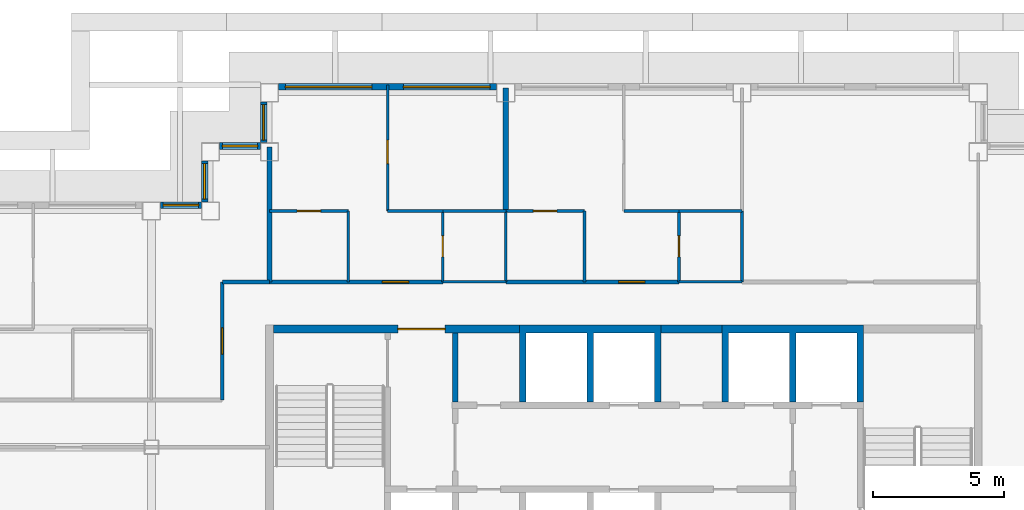
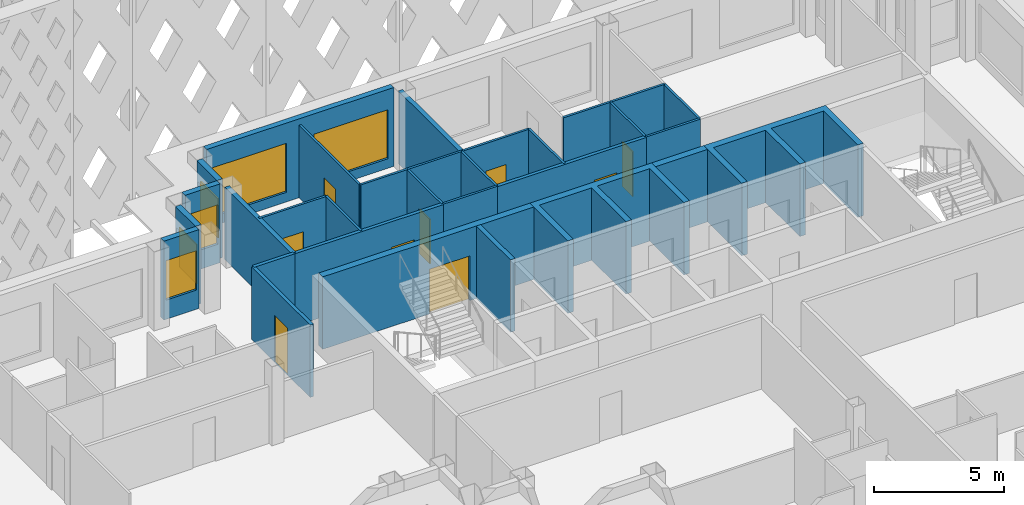
# One storey, part 6 of 16: 31 walls, 9 doors, 6 windows, 15 openings.
"""IFC4 building model written with IfcOpenShell, lengths in metres."""

from ifc_helpers import new_model, si_unit, direction, frame, frame_2d, origin, place, context, subcontext, project, spatial, polyline, rectangle, outline, extrude, material, layer, layer_set, type_object, element, fill, save


model = new_model("IFC4")

# Units and contexts
model_context = context("Model", 3, precision=1e-05, world=origin(), true_north=direction((0.0, 1.0)))
body_context = subcontext(model_context, "Body", "Model", "MODEL_VIEW")
ifc_project = project(units=[si_unit("LENGTHUNIT", "METRE"), si_unit("AREAUNIT", "SQUARE_METRE"), si_unit("VOLUMEUNIT", "CUBIC_METRE"), si_unit("PLANEANGLEUNIT", "RADIAN"), si_unit("MASSUNIT", "GRAM", prefix="KILO")], contexts=[model_context])

# Site, building, storey
site_placement = place(None, origin())
site = spatial("IfcSite", under=ifc_project, at=site_placement, CompositionType="ELEMENT")
building_placement = place(site_placement, origin())
building = spatial("IfcBuilding", under=site, at=building_placement, Name="Caravel Reach Hotel and Residences", CompositionType="ELEMENT")
storey_placement = place(building_placement, frame((0.0, 0.0, 207.199951171875)))
storey = spatial("IfcBuildingStorey", under=building, at=storey_placement, Name="L52", CompositionType="ELEMENT", Elevation=207.199951171875)

# Walls
ifc_material_1 = material(Name="Gypsum board on steel stud", Category="steel")
ifc_layer_1 = layer(ifc_material_1, 0.10009765625)
ifc_layer_set_1 = layer_set([ifc_layer_1], Name="Bathroom pod wall 100 mm")
wall_type_1 = type_object("IfcWallType", Name="Bathroom pod wall 100 mm", PredefinedType="PARTITIONING", material=ifc_layer_set_1)
for number, where, z_axis, x_axis, name in (
    (1, (24.60009765625, 33.300048828125, 0.0), (0.0, 0.0, 1.0), (1.0, 0.0, 0.0), "L52 wall w068"),
    (2, (33.60009765625, 33.300048828125, 0.0), (0.0, 0.0, 1.0), (1.0, 0.0, 0.0), "L52 wall w069"),
    (3, (24.60009765625, 36.0, 0.0), (0.0, 0.0, 1.0), (1.0, 0.0, 0.0), "L52 wall w070"),
    (4, (33.60009765625, 36.0, 0.0), (0.0, 0.0, 1.0), (1.0, 0.0, 0.0), "L52 wall w071"),
):
    element("IfcWall", number, at=place(storey_placement, frame(where, z_axis=z_axis, x_axis=x_axis)), inside=storey, type_object=wall_type_1, Name=name, PredefinedType="PARTITIONING", context=body_context, shape_type="SweptSolid", body=[
        extrude(rectangle(XDim=2.39990234375, YDim=0.10009765625, at=frame_2d((1.199951171875, 0.0))), origin(), (0.0, 0.0, 1.0), 3.400146484375),
    ])

# Wall, opening, door
wall_1_placement = place(storey_placement, frame((24.60009765625, 33.300048828125, 0.0), z_axis=(0.0, 0.0, 1.0), x_axis=(0.0, 1.0, 0.0)))
wall_1 = element("IfcWall", 5, at=wall_1_placement, inside=storey, type_object=wall_type_1, Name="L52 wall w074", PredefinedType="PARTITIONING", context=body_context, shape_type="SweptSolid", body=[
    extrude(rectangle(XDim=2.699951171875, YDim=0.10009765625, at=frame_2d((1.35009765625, 0.0))), origin(), (0.0, 0.0, 1.0), 3.400146484375),
])
opening_1_placement = place(wall_1_placement, frame((0.949951171875, 0.0, 0.0)))
opening_1 = element("IfcOpeningElement", 6, at=opening_1_placement, cuts=wall_1, Name="Opening D52-018", PredefinedType="OPENING", context=body_context, shape_type="SweptSolid", body=[
    extrude(rectangle(XDim=0.800048828125, YDim=2.10009765625, at=frame_2d((0.39990234375, 1.050048828125))), frame((0.0, 0.06005859375, 0.0), z_axis=(0.0, -1.0, 0.0), x_axis=(1.0, 0.0, 0.0)), (0.0, 0.0, 1.0), 0.1201171875),
])
ifc_material_2 = material(Name="Timber and steel door leaf", Category="steel")
door_type_1 = type_object("IfcDoorType", Name="Bathroom door 800 x 2100", OperationType="SINGLE_SWING_LEFT", PredefinedType="DOOR", material=ifc_material_2)
door_1_placement = place(opening_1_placement, origin())
door_1 = element("IfcDoor", 7, at=door_1_placement, inside=storey, type_object=door_type_1, Name="door D52-018", OperationType="SINGLE_SWING_RIGHT", OverallHeight=2.10009765625, OverallWidth=0.800048828125, PredefinedType="DOOR", context=body_context, shape_type="SweptSolid", body=[
    extrude(rectangle(XDim=0.800048828125, YDim=2.10009765625, at=frame_2d((0.39990234375, 1.050048828125))), frame((0.0, 0.02490234375, 0.0), z_axis=(0.0, -1.0, 0.0), x_axis=(1.0, 0.0, 0.0)), (0.0, 0.0, 1.0), 0.050048828125),
])
fill(opening_1, door_1)

# Wall
wall_2_placement = place(storey_placement, frame((27.0, 33.300048828125, 0.0), z_axis=(0.0, 0.0, 1.0), x_axis=(0.0, 1.0, 0.0)))
element("IfcWall", 8, at=wall_2_placement, inside=storey, type_object=wall_type_1, Name="L52 wall w075", PredefinedType="PARTITIONING", context=body_context, shape_type="SweptSolid", body=[
    extrude(rectangle(XDim=2.699951171875, YDim=0.10009765625, at=frame_2d((1.35009765625, 0.0))), origin(), (0.0, 0.0, 1.0), 3.400146484375),
])

# Wall, opening, door
wall_3_placement = place(storey_placement, frame((33.60009765625, 33.300048828125, 0.0), z_axis=(0.0, 0.0, 1.0), x_axis=(0.0, 1.0, 0.0)))
wall_3 = element("IfcWall", 9, at=wall_3_placement, inside=storey, type_object=wall_type_1, Name="L52 wall w079", PredefinedType="PARTITIONING", context=body_context, shape_type="SweptSolid", body=[
    extrude(rectangle(XDim=2.699951171875, YDim=0.10009765625, at=frame_2d((1.35009765625, 0.0))), origin(), (0.0, 0.0, 1.0), 3.400146484375),
])
opening_2_placement = place(wall_3_placement, frame((0.949951171875, 0.0, 0.0)))
opening_2 = element("IfcOpeningElement", 10, at=opening_2_placement, cuts=wall_3, Name="Opening D52-022", PredefinedType="OPENING", context=body_context, shape_type="SweptSolid", body=[
    extrude(rectangle(XDim=0.800048828125, YDim=2.10009765625, at=frame_2d((0.39990234375, 1.050048828125))), frame((0.0, 0.06005859375, 0.0), z_axis=(0.0, -1.0, 0.0), x_axis=(1.0, 0.0, 0.0)), (0.0, 0.0, 1.0), 0.1201171875),
])
door_2_placement = place(opening_2_placement, origin())
door_2 = element("IfcDoor", 11, at=door_2_placement, inside=storey, type_object=door_type_1, Name="door D52-022", OperationType="SINGLE_SWING_LEFT", OverallHeight=2.10009765625, OverallWidth=0.800048828125, PredefinedType="DOOR", context=body_context, shape_type="SweptSolid", body=[
    extrude(rectangle(XDim=0.800048828125, YDim=2.10009765625, at=frame_2d((0.39990234375, 1.050048828125))), frame((0.0, 0.02490234375, 0.0), z_axis=(0.0, -1.0, 0.0), x_axis=(1.0, 0.0, 0.0)), (0.0, 0.0, 1.0), 0.050048828125),
])
fill(opening_2, door_2)

# Walls
wall_4_placement = place(storey_placement, frame((36.0, 33.300048828125, 0.0), z_axis=(0.0, 0.0, 1.0), x_axis=(0.0, 1.0, 0.0)))
element("IfcWall", 12, at=wall_4_placement, inside=storey, type_object=wall_type_1, Name="L52 wall w080", PredefinedType="PARTITIONING", context=body_context, shape_type="SweptSolid", body=[
    extrude(rectangle(XDim=2.699951171875, YDim=0.10009765625, at=frame_2d((1.35009765625, 0.0))), origin(), (0.0, 0.0, 1.0), 3.400146484375),
])
ifc_material_3 = material(Name="Autoclaved aerated block wall")
ifc_layer_2 = layer(ifc_material_3, 0.199951171875)
ifc_layer_set_2 = layer_set([ifc_layer_2], Name="Compartment wall 200 mm EI 120")
wall_type_2 = type_object("IfcWallType", Name="Compartment wall 200 mm EI 120", PredefinedType="PARTITIONING", material=ifc_layer_set_2)
wall_5_placement = place(storey_placement, frame((25.071533203125, 28.72509765625, 0.0), z_axis=(0.0, 0.0, 1.0), x_axis=(0.0, 1.0, 0.0)))
element("IfcWall", 13, at=wall_5_placement, inside=storey, type_object=wall_type_2, Name="L52 store partition", PredefinedType="PARTITIONING", context=body_context, shape_type="SweptSolid", body=[
    extrude(rectangle(XDim=2.625, YDim=0.199951171875, at=frame_2d((1.3125, 0.0))), origin(), (0.0, 0.0, 1.0), 3.400146484375),
])

# Wall, opening, door
ifc_material_4 = material(Name="Concrete C60", Category="concrete")
ifc_layer_3 = layer(ifc_material_4, 0.300048828125)
ifc_layer_set_3 = layer_set([ifc_layer_3], Name="Core wall 300 mm EI 120")
wall_type_3 = type_object("IfcWallType", Name="Core wall 300 mm EI 120", PredefinedType="SHEAR", material=ifc_layer_set_3)
wall_6_placement = place(storey_placement, frame((18.14990234375, 31.5, 0.0), z_axis=(0.0, 0.0, 1.0), x_axis=(1.0, 0.0, 0.0)))
wall_6 = element("IfcWall", 14, at=wall_6_placement, inside=storey, type_object=wall_type_3, Name="L52 core wall N1", PredefinedType="SHEAR", context=body_context, shape_type="SweptSolid", body=[
    extrude(rectangle(XDim=9.367919921875, YDim=0.300048828125, at=frame_2d((4.68408203125, 0.0))), origin(), (0.0, 0.0, 1.0), 3.400146484375),
])
opening_3_placement = place(wall_6_placement, frame((4.735595703125, 0.0, 0.0)))
opening_3 = element("IfcOpeningElement", 15, at=opening_3_placement, cuts=wall_6, Name="Opening D52-014", PredefinedType="OPENING", context=body_context, shape_type="SweptSolid", body=[
    extrude(rectangle(XDim=1.800048828125, YDim=2.10009765625, at=frame_2d((0.89990234375, 1.050048828125))), frame((0.0, 0.159912109375, 0.0), z_axis=(0.0, -1.0, 0.0), x_axis=(1.0, 0.0, 0.0)), (0.0, 0.0, 1.0), 0.320068359375),
])
ifc_material_5 = material(Name="Steel fire door leaf", Category="steel")
door_type_2 = type_object("IfcDoorType", Name="Fire lobby door pair 1800 x 2100 EI 90", OperationType="DOUBLE_DOOR_SINGLE_SWING", PredefinedType="DOOR", material=ifc_material_5)
door_3_placement = place(opening_3_placement, origin())
door_3 = element("IfcDoor", 16, at=door_3_placement, inside=storey, type_object=door_type_2, Name="lobby N door pair to corridor", OperationType="DOUBLE_DOOR_SINGLE_SWING", OverallHeight=2.10009765625, OverallWidth=1.800048828125, PredefinedType="DOOR", context=body_context, shape_type="SweptSolid", body=[
    extrude(rectangle(XDim=1.800048828125, YDim=2.10009765625, at=frame_2d((0.89990234375, 1.050048828125))), frame((0.0, 0.02490234375, 0.0), z_axis=(0.0, -1.0, 0.0), x_axis=(1.0, 0.0, 0.0)), (0.0, 0.0, 1.0), 0.050048828125),
])
fill(opening_3, door_3)

# Wall
wall_7_placement = place(storey_placement, frame((32.91064453125, 31.5, 0.0), z_axis=(0.0, 0.0, 1.0), x_axis=(1.0, 0.0, 0.0)))
element("IfcWall", 17, at=wall_7_placement, inside=storey, type_object=wall_type_3, Name="L52 core wall N2", PredefinedType="SHEAR", context=body_context, shape_type="SweptSolid", body=[
    extrude(rectangle(XDim=2.321533203125, YDim=0.300048828125, at=frame_2d((1.16064453125, 0.0))), origin(), (0.0, 0.0, 1.0), 3.400146484375),
])

# Wall, opening, door
ifc_material_6 = material(Name="Gypsum board on steel stud, fire-rated", Category="steel")
ifc_layer_4 = layer(ifc_material_6, 0.14990234375)
ifc_layer_set_4 = layer_set([ifc_layer_4], Name="Corridor wall 150 mm EI 60")
wall_type_4 = type_object("IfcWallType", Name="Corridor wall 150 mm EI 60", PredefinedType="PARTITIONING", material=ifc_layer_set_4)
wall_8_placement = place(storey_placement, frame((18.0, 33.300048828125, 0.0), z_axis=(0.0, 0.0, 1.0), x_axis=(1.0, 0.0, 0.0)))
wall_8 = element("IfcWall", 18, at=wall_8_placement, inside=storey, type_object=wall_type_4, Name="L52 wall w011", PredefinedType="PARTITIONING", context=body_context, shape_type="SweptSolid", body=[
    extrude(rectangle(XDim=6.60009765625, YDim=0.14990234375, at=frame_2d((3.300048828125, 0.0))), origin(), (0.0, 0.0, 1.0), 3.400146484375),
])
opening_4_placement = place(wall_8_placement, frame((4.300048828125, 0.0, 0.0)))
opening_4 = element("IfcOpeningElement", 19, at=opening_4_placement, cuts=wall_8, Name="Opening D52-016", PredefinedType="OPENING", context=body_context, shape_type="SweptSolid", body=[
    extrude(rectangle(XDim=1.0, YDim=2.199951171875, at=frame_2d((0.5, 1.10009765625))), frame((0.0, 0.0849609375, 0.0), z_axis=(0.0, -1.0, 0.0), x_axis=(1.0, 0.0, 0.0)), (0.0, 0.0, 1.0), 0.169921875),
])
ifc_material_7 = material(Name="Steel fire door leaf", Category="steel")
door_type_3 = type_object("IfcDoorType", Name="Flat entrance door 1000 x 2200 EI 60", OperationType="SINGLE_SWING_LEFT", PredefinedType="DOOR", material=ifc_material_7)
door_4_placement = place(opening_4_placement, origin())
door_4 = element("IfcDoor", 20, at=door_4_placement, inside=storey, type_object=door_type_3, Name="door D52-016", OperationType="SINGLE_SWING_RIGHT", OverallHeight=2.199951171875, OverallWidth=1.0, PredefinedType="DOOR", context=body_context, shape_type="SweptSolid", body=[
    extrude(rectangle(XDim=1.0, YDim=2.199951171875, at=frame_2d((0.5, 1.10009765625))), frame((0.0, 0.02490234375, 0.0), z_axis=(0.0, -1.0, 0.0), x_axis=(1.0, 0.0, 0.0)), (0.0, 0.0, 1.0), 0.050048828125),
])
fill(opening_4, door_4)

wall_9_placement = place(storey_placement, frame((27.0, 33.300048828125, 0.0), z_axis=(0.0, 0.0, 1.0), x_axis=(1.0, 0.0, 0.0)))
wall_9 = element("IfcWall", 21, at=wall_9_placement, inside=storey, type_object=wall_type_4, Name="L52 wall w013", PredefinedType="PARTITIONING", context=body_context, shape_type="SweptSolid", body=[
    extrude(rectangle(XDim=6.60009765625, YDim=0.14990234375, at=frame_2d((3.300048828125, 0.0))), origin(), (0.0, 0.0, 1.0), 3.400146484375),
])
opening_5_placement = place(wall_9_placement, frame((4.300048828125, 0.0, 0.0)))
opening_5 = element("IfcOpeningElement", 22, at=opening_5_placement, cuts=wall_9, Name="Opening D52-020", PredefinedType="OPENING", context=body_context, shape_type="SweptSolid", body=[
    extrude(rectangle(XDim=1.0, YDim=2.199951171875, at=frame_2d((0.5, 1.10009765625))), frame((0.0, 0.0849609375, 0.0), z_axis=(0.0, -1.0, 0.0), x_axis=(1.0, 0.0, 0.0)), (0.0, 0.0, 1.0), 0.169921875),
])
door_5_placement = place(opening_5_placement, origin())
door_5 = element("IfcDoor", 23, at=door_5_placement, inside=storey, type_object=door_type_3, Name="door D52-020", OperationType="SINGLE_SWING_RIGHT", OverallHeight=2.199951171875, OverallWidth=1.0, PredefinedType="DOOR", context=body_context, shape_type="SweptSolid", body=[
    extrude(rectangle(XDim=1.0, YDim=2.199951171875, at=frame_2d((0.5, 1.10009765625))), frame((0.0, 0.02490234375, 0.0), z_axis=(0.0, -1.0, 0.0), x_axis=(1.0, 0.0, 0.0)), (0.0, 0.0, 1.0), 0.050048828125),
])
fill(opening_5, door_5)

# Wall
wall_10_placement = place(storey_placement, frame((16.199951171875, 33.300048828125, 0.0), z_axis=(0.0, 0.0, 1.0), x_axis=(1.0, 0.0, 0.0)))
element("IfcWall", 24, at=wall_10_placement, inside=storey, type_object=wall_type_4, Name="L52 wall w015", PredefinedType="PARTITIONING", context=body_context, shape_type="SweptSolid", body=[
    extrude(rectangle(XDim=1.799072265625, YDim=0.14990234375, at=frame_2d((0.8994140625, 0.0))), origin(), (0.0, 0.0, 1.0), 3.400146484375),
])

# Wall, opening, door
wall_11_placement = place(storey_placement, frame((16.199951171875, 28.801025390625, 0.0), z_axis=(0.0, 0.0, 1.0), x_axis=(0.0, 1.0, 0.0)))
wall_11 = element("IfcWall", 25, at=wall_11_placement, inside=storey, type_object=wall_type_4, Name="L52 wall w017", PredefinedType="PARTITIONING", context=body_context, shape_type="SweptSolid", body=[
    extrude(rectangle(XDim=4.4990234375, YDim=0.14990234375, at=frame_2d((2.24951171875, 0.0))), origin(), (0.0, 0.0, 1.0), 3.400146484375),
])
opening_6_placement = place(wall_11_placement, frame((1.74951171875, 0.0, 0.0)))
opening_6 = element("IfcOpeningElement", 26, at=opening_6_placement, cuts=wall_11, Name="Opening D52-025", PredefinedType="OPENING", context=body_context, shape_type="SweptSolid", body=[
    extrude(rectangle(XDim=1.0, YDim=2.199951171875, at=frame_2d((0.5, 1.10009765625))), frame((0.0, 0.0849609375, 0.0), z_axis=(0.0, -1.0, 0.0), x_axis=(1.0, 0.0, 0.0)), (0.0, 0.0, 1.0), 0.169921875),
])
door_6_placement = place(opening_6_placement, origin())
door_6 = element("IfcDoor", 27, at=door_6_placement, inside=storey, type_object=door_type_3, Name="door D52-025", OperationType="SINGLE_SWING_LEFT", OverallHeight=2.199951171875, OverallWidth=1.0, PredefinedType="DOOR", context=body_context, shape_type="SweptSolid", body=[
    extrude(rectangle(XDim=1.0, YDim=2.199951171875, at=frame_2d((0.5, 1.10009765625))), frame((0.0, 0.02490234375, 0.0), z_axis=(0.0, -1.0, 0.0), x_axis=(1.0, 0.0, 0.0)), (0.0, 0.0, 1.0), 0.050048828125),
])
fill(opening_6, door_6)

# Wall, openings, windows
ifc_material_8 = material(Name="Insulated rainscreen wall, aluminium cladding", Category="aluminium")
ifc_layer_5 = layer(ifc_material_8, 0.25)
ifc_layer_set_5 = layer_set([ifc_layer_5], Name="EW1 Tower rainscreen wall")
wall_type_5 = type_object("IfcWallType", Name="EW1 Tower rainscreen wall", PredefinedType="SOLIDWALL", material=ifc_layer_set_5)
wall_12_placement = place(storey_placement, frame((26.64990234375, 40.72509765625, 0.0), z_axis=(0.0, 0.0, 1.0), x_axis=(-1.0, 0.0, 0.0)))
wall_12 = element("IfcWall", 28, at=wall_12_placement, inside=storey, type_object=wall_type_5, Name="External wall L52 N11.3", PredefinedType="SOLIDWALL", context=body_context, shape_type="SweptSolid", body=[
    extrude(rectangle(XDim=8.2998046875, YDim=0.25, at=frame_2d((4.14990234375, 0.0))), origin(), (0.0, 0.0, 1.0), 3.699951171875),
])
opening_7_placement = place(wall_12_placement, frame((0.25, 0.0, 0.449951171875)))
opening_7 = element("IfcOpeningElement", 29, at=opening_7_placement, cuts=wall_12, Name="Opening WN15", PredefinedType="OPENING", context=body_context, shape_type="SweptSolid", body=[
    extrude(rectangle(XDim=3.300048828125, YDim=2.300048828125, at=frame_2d((1.64990234375, 1.14990234375))), frame((0.0, 0.135009765625, 0.0), z_axis=(0.0, -1.0, 0.0), x_axis=(1.0, 0.0, 0.0)), (0.0, 0.0, 1.0), 0.27001953125),
])
opening_8_placement = place(wall_12_placement, frame((4.75, 0.0, 0.449951171875)))
opening_8 = element("IfcOpeningElement", 30, at=opening_8_placement, cuts=wall_12, Name="Opening WN15", PredefinedType="OPENING", context=body_context, shape_type="SweptSolid", body=[
    extrude(rectangle(XDim=3.300048828125, YDim=2.300048828125, at=frame_2d((1.64990234375, 1.14990234375))), frame((0.0, 0.135009765625, 0.0), z_axis=(0.0, -1.0, 0.0), x_axis=(1.0, 0.0, 0.0)), (0.0, 0.0, 1.0), 0.27001953125),
])
ifc_material_9 = material(Name="Dark low-e glazing in black aluminium frame", Category="aluminium")
window_type_1 = type_object("IfcWindowType", Name="Residence living window 3300 x 2300", PartitioningType="SINGLE_PANEL", PredefinedType="WINDOW", material=ifc_material_9)
window_1_placement = place(opening_7_placement, origin())
window_1 = element("IfcWindow", 31, at=window_1_placement, inside=storey, type_object=window_type_1, Name="Window L52 N11.3.1", OverallHeight=2.300048828125, OverallWidth=3.300048828125, PartitioningType="SINGLE_PANEL", PredefinedType="WINDOW", context=body_context, shape_type="SweptSolid", body=[
    extrude(rectangle(XDim=3.300048828125, YDim=2.300048828125, at=frame_2d((1.64990234375, 1.14990234375))), frame((0.0, 0.030029296875, 0.0), z_axis=(0.0, -1.0, 0.0), x_axis=(1.0, 0.0, 0.0)), (0.0, 0.0, 1.0), 0.06005859375),
])
fill(opening_7, window_1)
window_2_placement = place(opening_8_placement, origin())
window_2 = element("IfcWindow", 32, at=window_2_placement, inside=storey, type_object=window_type_1, Name="Window L52 N11.3.2", OverallHeight=2.300048828125, OverallWidth=3.300048828125, PartitioningType="SINGLE_PANEL", PredefinedType="WINDOW", context=body_context, shape_type="SweptSolid", body=[
    extrude(rectangle(XDim=3.300048828125, YDim=2.300048828125, at=frame_2d((1.64990234375, 1.14990234375))), frame((0.0, 0.030029296875, 0.0), z_axis=(0.0, -1.0, 0.0), x_axis=(1.0, 0.0, 0.0)), (0.0, 0.0, 1.0), 0.06005859375),
])
fill(opening_8, window_2)

# Wall, opening, window
wall_13_placement = place(storey_placement, frame((17.77490234375, 40.14990234375, 0.0), z_axis=(0.0, 0.0, 1.0), x_axis=(0.0, -1.0, 0.0)))
wall_13 = element("IfcWall", 33, at=wall_13_placement, inside=storey, type_object=wall_type_5, Name="External wall L52 W12.1", PredefinedType="SOLIDWALL", context=body_context, shape_type="SweptSolid", body=[
    extrude(rectangle(XDim=1.5498046875, YDim=0.25, at=frame_2d((0.77490234375, 0.0))), origin(), (0.0, 0.0, 1.0), 3.699951171875),
])
opening_9_placement = place(wall_13_placement, frame((0.10009765625, 0.0, 0.89990234375)))
opening_9 = element("IfcOpeningElement", 34, at=opening_9_placement, cuts=wall_13, Name="Opening WN21", PredefinedType="OPENING", context=body_context, shape_type="SweptSolid", body=[
    extrude(rectangle(XDim=1.35009765625, YDim=1.85009765625, at=frame_2d((0.675048828125, 0.925048828125))), frame((0.0, 0.135009765625, 0.0), z_axis=(0.0, -1.0, 0.0), x_axis=(1.0, 0.0, 0.0)), (0.0, 0.0, 1.0), 0.27001953125),
])
ifc_material_10 = material(Name="Dark low-e glazing in black aluminium frame", Category="aluminium")
window_type_2 = type_object("IfcWindowType", Name="Residence bedroom window 1350 x 1850", PartitioningType="SINGLE_PANEL", PredefinedType="WINDOW", material=ifc_material_10)
window_3_placement = place(opening_9_placement, origin())
window_3 = element("IfcWindow", 35, at=window_3_placement, inside=storey, type_object=window_type_2, Name="Window L52 W12.1.1", OverallHeight=1.85009765625, OverallWidth=1.35009765625, PartitioningType="SINGLE_PANEL", PredefinedType="WINDOW", context=body_context, shape_type="SweptSolid", body=[
    extrude(rectangle(XDim=1.35009765625, YDim=1.85009765625, at=frame_2d((0.675048828125, 0.925048828125))), frame((0.0, 0.030029296875, 0.0), z_axis=(0.0, -1.0, 0.0), x_axis=(1.0, 0.0, 0.0)), (0.0, 0.0, 1.0), 0.06005859375),
])
fill(opening_9, window_3)

wall_14_placement = place(storey_placement, frame((17.64990234375, 38.47509765625, 0.0), z_axis=(0.0, 0.0, 1.0), x_axis=(-1.0, 0.0, 0.0)))
wall_14 = element("IfcWall", 36, at=wall_14_placement, inside=storey, type_object=wall_type_5, Name="External wall L52 N13.1", PredefinedType="SOLIDWALL", context=body_context, shape_type="SweptSolid", body=[
    extrude(rectangle(XDim=1.5498046875, YDim=0.25, at=frame_2d((0.77490234375, 0.0))), origin(), (0.0, 0.0, 1.0), 3.699951171875),
])
opening_10_placement = place(wall_14_placement, frame((0.10009765625, 0.0, 0.89990234375)))
opening_10 = element("IfcOpeningElement", 37, at=opening_10_placement, cuts=wall_14, Name="Opening WN21", PredefinedType="OPENING", context=body_context, shape_type="SweptSolid", body=[
    extrude(rectangle(XDim=1.35009765625, YDim=1.85009765625, at=frame_2d((0.675048828125, 0.925048828125))), frame((0.0, 0.135009765625, 0.0), z_axis=(0.0, -1.0, 0.0), x_axis=(1.0, 0.0, 0.0)), (0.0, 0.0, 1.0), 0.27001953125),
])
window_4_placement = place(opening_10_placement, origin())
window_4 = element("IfcWindow", 38, at=window_4_placement, inside=storey, type_object=window_type_2, Name="Window L52 N13.1.1", OverallHeight=1.85009765625, OverallWidth=1.35009765625, PartitioningType="SINGLE_PANEL", PredefinedType="WINDOW", context=body_context, shape_type="SweptSolid", body=[
    extrude(rectangle(XDim=1.35009765625, YDim=1.85009765625, at=frame_2d((0.675048828125, 0.925048828125))), frame((0.0, 0.030029296875, 0.0), z_axis=(0.0, -1.0, 0.0), x_axis=(1.0, 0.0, 0.0)), (0.0, 0.0, 1.0), 0.06005859375),
])
fill(opening_10, window_4)

wall_15_placement = place(storey_placement, frame((15.52490234375, 37.89990234375, 0.0), z_axis=(0.0, 0.0, 1.0), x_axis=(0.0, -1.0, 0.0)))
wall_15 = element("IfcWall", 39, at=wall_15_placement, inside=storey, type_object=wall_type_5, Name="External wall L52 W14.1", PredefinedType="SOLIDWALL", context=body_context, shape_type="SweptSolid", body=[
    extrude(rectangle(XDim=1.5498046875, YDim=0.25, at=frame_2d((0.77490234375, 0.0))), origin(), (0.0, 0.0, 1.0), 3.699951171875),
])
opening_11_placement = place(wall_15_placement, frame((0.10009765625, 0.0, 0.89990234375)))
opening_11 = element("IfcOpeningElement", 40, at=opening_11_placement, cuts=wall_15, Name="Opening WN21", PredefinedType="OPENING", context=body_context, shape_type="SweptSolid", body=[
    extrude(rectangle(XDim=1.35009765625, YDim=1.85009765625, at=frame_2d((0.675048828125, 0.925048828125))), frame((0.0, 0.135009765625, 0.0), z_axis=(0.0, -1.0, 0.0), x_axis=(1.0, 0.0, 0.0)), (0.0, 0.0, 1.0), 0.27001953125),
])
window_5_placement = place(opening_11_placement, origin())
window_5 = element("IfcWindow", 41, at=window_5_placement, inside=storey, type_object=window_type_2, Name="Window L52 W14.1.1", OverallHeight=1.85009765625, OverallWidth=1.35009765625, PartitioningType="SINGLE_PANEL", PredefinedType="WINDOW", context=body_context, shape_type="SweptSolid", body=[
    extrude(rectangle(XDim=1.35009765625, YDim=1.85009765625, at=frame_2d((0.675048828125, 0.925048828125))), frame((0.0, 0.030029296875, 0.0), z_axis=(0.0, -1.0, 0.0), x_axis=(1.0, 0.0, 0.0)), (0.0, 0.0, 1.0), 0.06005859375),
])
fill(opening_11, window_5)

wall_16_placement = place(storey_placement, frame((15.39990234375, 36.22509765625, 0.0), z_axis=(0.0, 0.0, 1.0), x_axis=(-1.0, 0.0, 0.0)))
wall_16 = element("IfcWall", 42, at=wall_16_placement, inside=storey, type_object=wall_type_5, Name="External wall L52 N15.1", PredefinedType="SOLIDWALL", context=body_context, shape_type="SweptSolid", body=[
    extrude(rectangle(XDim=1.5498046875, YDim=0.25, at=frame_2d((0.77490234375, 0.0))), origin(), (0.0, 0.0, 1.0), 3.699951171875),
])
opening_12_placement = place(wall_16_placement, frame((0.10009765625, 0.0, 0.89990234375)))
opening_12 = element("IfcOpeningElement", 43, at=opening_12_placement, cuts=wall_16, Name="Opening WN21", PredefinedType="OPENING", context=body_context, shape_type="SweptSolid", body=[
    extrude(rectangle(XDim=1.35009765625, YDim=1.85009765625, at=frame_2d((0.675048828125, 0.925048828125))), frame((0.0, 0.135009765625, 0.0), z_axis=(0.0, -1.0, 0.0), x_axis=(1.0, 0.0, 0.0)), (0.0, 0.0, 1.0), 0.27001953125),
])
window_6_placement = place(opening_12_placement, origin())
window_6 = element("IfcWindow", 44, at=window_6_placement, inside=storey, type_object=window_type_2, Name="Window L52 N15.1.1", OverallHeight=1.85009765625, OverallWidth=1.35009765625, PartitioningType="SINGLE_PANEL", PredefinedType="WINDOW", context=body_context, shape_type="SweptSolid", body=[
    extrude(rectangle(XDim=1.35009765625, YDim=1.85009765625, at=frame_2d((0.675048828125, 0.925048828125))), frame((0.0, 0.030029296875, 0.0), z_axis=(0.0, -1.0, 0.0), x_axis=(1.0, 0.0, 0.0)), (0.0, 0.0, 1.0), 0.06005859375),
])
fill(opening_12, window_6)

# Wall
ifc_material_11 = material(Name="Gypsum board on steel stud", Category="steel")
ifc_layer_6 = layer(ifc_material_11, 0.10009765625)
ifc_layer_set_6 = layer_set([ifc_layer_6], Name="Partition 100 mm")
wall_type_6 = type_object("IfcWallType", Name="Partition 100 mm", PredefinedType="PARTITIONING", material=ifc_layer_set_6)
wall_17_placement = place(storey_placement, frame((22.5, 36.0, 0.0), z_axis=(0.0, 0.0, 1.0), x_axis=(1.0, 0.0, 0.0)))
element("IfcWall", 45, at=wall_17_placement, inside=storey, type_object=wall_type_6, Name="L52 wall w034", PredefinedType="PARTITIONING", context=body_context, shape_type="SweptSolid", body=[
    extrude(rectangle(XDim=2.10009765625, YDim=0.10009765625, at=frame_2d((1.050048828125, 0.0))), origin(), (0.0, 0.0, 1.0), 3.400146484375),
])

# Wall, opening, door
wall_18_placement = place(storey_placement, frame((18.0, 36.0, 0.0), z_axis=(0.0, 0.0, 1.0), x_axis=(1.0, 0.0, 0.0)))
wall_18 = element("IfcWall", 46, at=wall_18_placement, inside=storey, type_object=wall_type_6, Name="L52 wall w035", PredefinedType="PARTITIONING", context=body_context, shape_type="SweptSolid", body=[
    extrude(rectangle(XDim=3.0, YDim=0.10009765625, at=frame_2d((1.5, 0.0))), origin(), (0.0, 0.0, 1.0), 3.400146484375),
])
opening_13_placement = place(wall_18_placement, frame((1.050048828125, 0.0, 0.0)))
opening_13 = element("IfcOpeningElement", 47, at=opening_13_placement, cuts=wall_18, Name="Opening D52-017", PredefinedType="OPENING", context=body_context, shape_type="SweptSolid", body=[
    extrude(rectangle(XDim=0.89990234375, YDim=2.10009765625, at=frame_2d((0.449951171875, 1.050048828125))), frame((0.0, 0.06005859375, 0.0), z_axis=(0.0, -1.0, 0.0), x_axis=(1.0, 0.0, 0.0)), (0.0, 0.0, 1.0), 0.1201171875),
])
ifc_material_12 = material(Name="Timber and steel door leaf", Category="steel")
door_type_4 = type_object("IfcDoorType", Name="Door 900 x 2100 timber", OperationType="SINGLE_SWING_LEFT", PredefinedType="DOOR", material=ifc_material_12)
door_7_placement = place(opening_13_placement, origin())
door_7 = element("IfcDoor", 48, at=door_7_placement, inside=storey, type_object=door_type_4, Name="door D52-017", OperationType="SINGLE_SWING_RIGHT", OverallHeight=2.10009765625, OverallWidth=0.89990234375, PredefinedType="DOOR", context=body_context, shape_type="SweptSolid", body=[
    extrude(rectangle(XDim=0.89990234375, YDim=2.10009765625, at=frame_2d((0.449951171875, 1.050048828125))), frame((0.0, 0.02490234375, 0.0), z_axis=(0.0, -1.0, 0.0), x_axis=(1.0, 0.0, 0.0)), (0.0, 0.0, 1.0), 0.050048828125),
])
fill(opening_13, door_7)

# Wall
wall_19_placement = place(storey_placement, frame((31.5, 36.0, 0.0), z_axis=(0.0, 0.0, 1.0), x_axis=(1.0, 0.0, 0.0)))
element("IfcWall", 49, at=wall_19_placement, inside=storey, type_object=wall_type_6, Name="L52 wall w036", PredefinedType="PARTITIONING", context=body_context, shape_type="SweptSolid", body=[
    extrude(rectangle(XDim=2.10009765625, YDim=0.10009765625, at=frame_2d((1.050048828125, 0.0))), origin(), (0.0, 0.0, 1.0), 3.400146484375),
])

# Wall, opening, door
wall_20_placement = place(storey_placement, frame((27.0, 36.0, 0.0), z_axis=(0.0, 0.0, 1.0), x_axis=(1.0, 0.0, 0.0)))
wall_20 = element("IfcWall", 50, at=wall_20_placement, inside=storey, type_object=wall_type_6, Name="L52 wall w037", PredefinedType="PARTITIONING", context=body_context, shape_type="SweptSolid", body=[
    extrude(rectangle(XDim=3.0, YDim=0.10009765625, at=frame_2d((1.5, 0.0))), origin(), (0.0, 0.0, 1.0), 3.400146484375),
])
opening_14_placement = place(wall_20_placement, frame((1.050048828125, 0.0, 0.0)))
opening_14 = element("IfcOpeningElement", 51, at=opening_14_placement, cuts=wall_20, Name="Opening D52-021", PredefinedType="OPENING", context=body_context, shape_type="SweptSolid", body=[
    extrude(rectangle(XDim=0.89990234375, YDim=2.10009765625, at=frame_2d((0.449951171875, 1.050048828125))), frame((0.0, 0.06005859375, 0.0), z_axis=(0.0, -1.0, 0.0), x_axis=(1.0, 0.0, 0.0)), (0.0, 0.0, 1.0), 0.1201171875),
])
door_8_placement = place(opening_14_placement, origin())
door_8 = element("IfcDoor", 52, at=door_8_placement, inside=storey, type_object=door_type_4, Name="door D52-021", OperationType="SINGLE_SWING_RIGHT", OverallHeight=2.10009765625, OverallWidth=0.89990234375, PredefinedType="DOOR", context=body_context, shape_type="SweptSolid", body=[
    extrude(rectangle(XDim=0.89990234375, YDim=2.10009765625, at=frame_2d((0.449951171875, 1.050048828125))), frame((0.0, 0.02490234375, 0.0), z_axis=(0.0, -1.0, 0.0), x_axis=(1.0, 0.0, 0.0)), (0.0, 0.0, 1.0), 0.050048828125),
])
fill(opening_14, door_8)

# Wall
wall_21_placement = place(storey_placement, frame((21.0, 33.300048828125, 0.0), z_axis=(0.0, 0.0, 1.0), x_axis=(0.0, 1.0, 0.0)))
element("IfcWall", 53, at=wall_21_placement, inside=storey, type_object=wall_type_6, Name="L52 wall w048", PredefinedType="PARTITIONING", context=body_context, shape_type="SweptSolid", body=[
    extrude(rectangle(XDim=2.699951171875, YDim=0.10009765625, at=frame_2d((1.35009765625, 0.0))), origin(), (0.0, 0.0, 1.0), 3.400146484375),
])

# Wall, opening, door
wall_22_placement = place(storey_placement, frame((22.5, 36.0, 0.0), z_axis=(0.0, 0.0, 1.0), x_axis=(0.0, 1.0, 0.0)))
wall_22 = element("IfcWall", 54, at=wall_22_placement, inside=storey, type_object=wall_type_6, Name="L52 wall w049", PredefinedType="PARTITIONING", context=body_context, shape_type="SweptSolid", body=[
    extrude(rectangle(XDim=4.7900390625, YDim=0.10009765625, at=frame_2d((2.39501953125, 0.0))), origin(), (0.0, 0.0, 1.0), 3.400146484375),
])
opening_15_placement = place(wall_22_placement, frame((1.800048828125, 0.0, 0.0)))
opening_15 = element("IfcOpeningElement", 55, at=opening_15_placement, cuts=wall_22, Name="Opening D52-019", PredefinedType="OPENING", context=body_context, shape_type="SweptSolid", body=[
    extrude(rectangle(XDim=0.89990234375, YDim=2.10009765625, at=frame_2d((0.449951171875, 1.050048828125))), frame((0.0, 0.06005859375, 0.0), z_axis=(0.0, -1.0, 0.0), x_axis=(1.0, 0.0, 0.0)), (0.0, 0.0, 1.0), 0.1201171875),
])
door_9_placement = place(opening_15_placement, origin())
door_9 = element("IfcDoor", 56, at=door_9_placement, inside=storey, type_object=door_type_4, Name="door D52-019", OperationType="SINGLE_SWING_LEFT", OverallHeight=2.10009765625, OverallWidth=0.89990234375, PredefinedType="DOOR", context=body_context, shape_type="SweptSolid", body=[
    extrude(rectangle(XDim=0.89990234375, YDim=2.10009765625, at=frame_2d((0.449951171875, 1.050048828125))), frame((0.0, 0.02490234375, 0.0), z_axis=(0.0, -1.0, 0.0), x_axis=(1.0, 0.0, 0.0)), (0.0, 0.0, 1.0), 0.050048828125),
])
fill(opening_15, door_9)

# Walls
wall_23_placement = place(storey_placement, frame((30.0, 33.300048828125, 0.0), z_axis=(0.0, 0.0, 1.0), x_axis=(0.0, 1.0, 0.0)))
element("IfcWall", 57, at=wall_23_placement, inside=storey, type_object=wall_type_6, Name="L52 wall w052", PredefinedType="PARTITIONING", context=body_context, shape_type="SweptSolid", body=[
    extrude(rectangle(XDim=2.699951171875, YDim=0.10009765625, at=frame_2d((1.35009765625, 0.0))), origin(), (0.0, 0.0, 1.0), 3.400146484375),
])
ifc_material_13 = material(Name="Autoclaved aerated block wall")
ifc_layer_7 = layer(ifc_material_13, 0.199951171875)
ifc_layer_set_7 = layer_set([ifc_layer_7], Name="Party wall 200 mm EI 60")
wall_type_7 = type_object("IfcWallType", Name="Party wall 200 mm EI 60", PredefinedType="PARTITIONING", material=ifc_layer_set_7)
wall_24_placement = place(storey_placement, frame((18.0, 33.301025390625, 0.0), z_axis=(0.0, 0.0, 1.0), x_axis=(0.0, 1.0, 0.0)))
element("IfcWall", 58, at=wall_24_placement, inside=storey, type_object=wall_type_7, Name="L52 wall w062", PredefinedType="PARTITIONING", context=body_context, shape_type="SweptSolid", body=[
    extrude(rectangle(XDim=5.138916015625, YDim=0.199951171875, at=frame_2d((2.5693359375, 0.0))), origin(), (0.0, 0.0, 1.0), 3.400146484375),
])
wall_25_placement = place(storey_placement, frame((27.0, 36.0, 0.0), z_axis=(0.0, 0.0, 1.0), x_axis=(0.0, 1.0, 0.0)))
element("IfcWall", 59, at=wall_25_placement, inside=storey, type_object=wall_type_7, Name="L52 wall w063", PredefinedType="PARTITIONING", context=body_context, shape_type="SweptSolid", body=[
    extrude(rectangle(XDim=4.68994140625, YDim=0.199951171875, at=frame_2d((2.344970703125, 0.0))), origin(), (0.0, 0.0, 1.0), 3.400146484375),
])
ifc_material_14 = material(Name="Concrete C60", Category="concrete")
ifc_layer_8 = layer(ifc_material_14, 0.25)
ifc_layer_set_8 = layer_set([ifc_layer_8], Name="Shaft wall 250 mm EI 120")
wall_type_8 = type_object("IfcWallType", Name="Shaft wall 250 mm EI 120", PredefinedType="SHEAR", material=ifc_layer_set_8)
wall_26_placement = place(storey_placement, origin())
element("IfcWall", 60, at=wall_26_placement, inside=storey, type_object=wall_type_8, Name="L52 lift shaft wall N1", PredefinedType="SHEAR", context=body_context, shape_type="SweptSolid", body=[
    extrude(outline(polyline([(27.517822265625, 28.72509765625), (27.767822265625, 28.72509765625), (27.767822265625, 31.35009765625), (30.08935546875, 31.35009765625), (30.08935546875, 28.72509765625), (30.33935546875, 28.72509765625), (30.33935546875, 31.35009765625), (32.66064453125, 31.35009765625), (32.66064453125, 28.72509765625), (32.91064453125, 28.72509765625), (32.91064453125, 31.64990234375), (27.517822265625, 31.64990234375), (27.517822265625, 28.72509765625)])), origin(), (0.0, 0.0, 1.0), 3.400146484375),
])
wall_27_placement = place(storey_placement, origin())
element("IfcWall", 61, at=wall_27_placement, inside=storey, type_object=wall_type_8, Name="L52 lift shaft wall N2", PredefinedType="SHEAR", context=body_context, shape_type="SweptSolid", body=[
    extrude(outline(polyline([(35.232177734375, 28.72509765625), (35.482177734375, 28.72509765625), (35.482177734375, 31.35009765625), (37.803466796875, 31.35009765625), (37.803466796875, 28.72509765625), (38.053466796875, 28.72509765625), (38.053466796875, 31.35009765625), (40.375, 31.35009765625), (40.375, 28.72509765625), (40.625, 28.72509765625), (40.625, 31.64990234375), (35.232177734375, 31.64990234375), (35.232177734375, 28.72509765625)])), origin(), (0.0, 0.0, 1.0), 3.400146484375),
])

save(model, "model.ifc")
